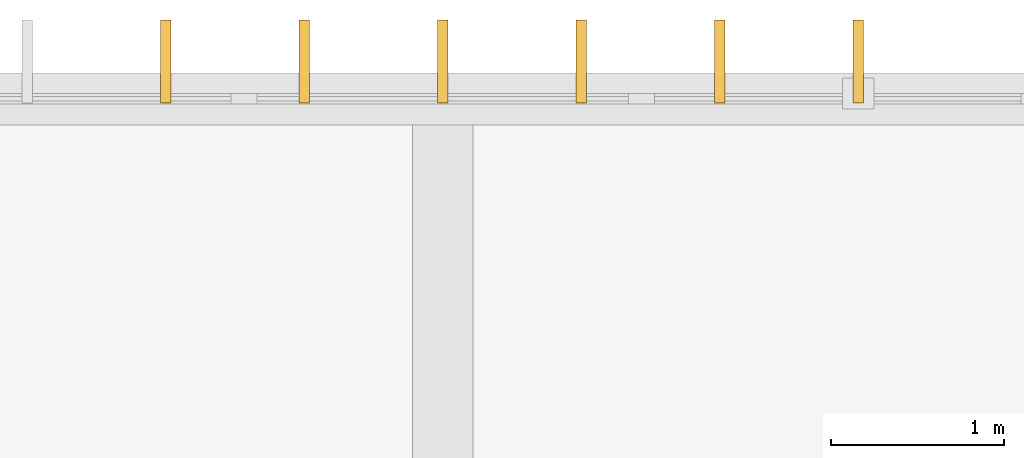
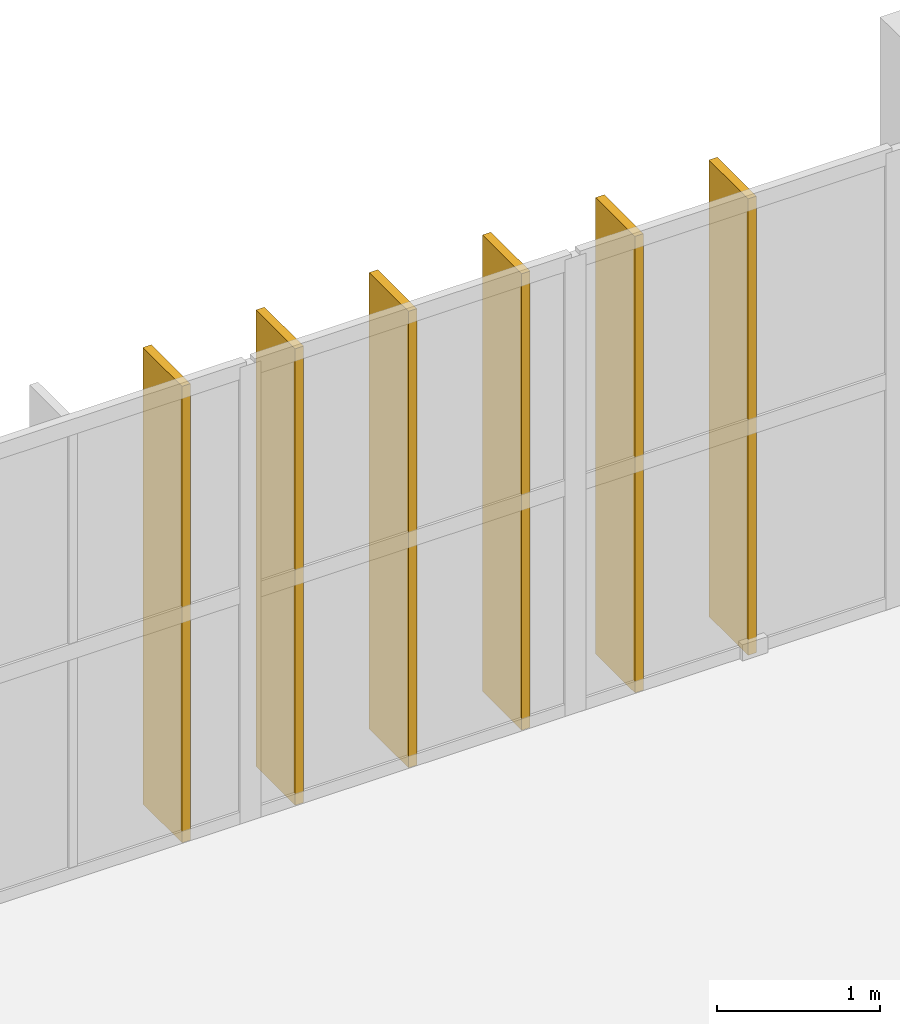
# One storey, part 61 of 61: 6 shading devices.
"""IFC4 building model written with IfcOpenShell, lengths in metres."""

from ifc_helpers import new_model, si_unit, direction, frame, origin, origin_2d, place, context, subcontext, project, spatial, rectangle, extrude, material, material_profile, profile_set, type_object, element, save


model = new_model("IFC4")

# Units and contexts
model_context = context("Model", 3, precision=1e-05, world=origin(), true_north=direction((0.0, 1.0)))
body_context = subcontext(model_context, "Body", "Model", "MODEL_VIEW")
ifc_project = project(units=[si_unit("LENGTHUNIT", "METRE"), si_unit("AREAUNIT", "SQUARE_METRE"), si_unit("VOLUMEUNIT", "CUBIC_METRE"), si_unit("PLANEANGLEUNIT", "RADIAN"), si_unit("MASSUNIT", "GRAM", prefix="KILO")], contexts=[model_context])

# Site, building, storey
site_placement = place(None, origin())
site = spatial("IfcSite", under=ifc_project, at=site_placement, CompositionType="ELEMENT")
building_placement = place(site_placement, origin())
building = spatial("IfcBuilding", under=site, at=building_placement, Name="Vourika Railside Aquatics Centre", CompositionType="ELEMENT")
storey_placement = place(building_placement, frame((0.0, 0.0, 9.300048828125)))
storey = spatial("IfcBuildingStorey", under=building, at=storey_placement, Name="L02", CompositionType="ELEMENT", Elevation=9.300048828125)

# Shading devices
ifc_material = material(Name="Bronze-anodized extruded aluminium", Category="aluminium")
ifc_material_profile = material_profile(ifc_material, rectangle(XDim=0.06005859375, YDim=0.47998046875, at=origin_2d()), Name="ALU-FIN 60x480")
ifc_profile_set = profile_set([ifc_material_profile], Name="Bronze-anodized extruded aluminium")
shading_device_type = type_object("IfcShadingDeviceType", Name="SHD-FIN-F48A", PredefinedType="USERDEFINED", material=ifc_profile_set)
for number, where, z_axis, x_axis, name in (
    (1, (128.14990234375, 116.215087890625, 0.0), (0.0, 0.0, 1.0), (1.0, 0.0, 0.0), "Vertical Solar Fin VSF-0916"),
    (2, (128.949951171875, 116.215087890625, 0.0), (0.0, 0.0, 1.0), (1.0, 0.0, 0.0), "Vertical Solar Fin VSF-0917"),
    (3, (129.75, 116.215087890625, 0.0), (0.0, 0.0, 1.0), (1.0, 0.0, 0.0), "Vertical Solar Fin VSF-0918"),
    (4, (130.550048828125, 116.215087890625, 0.0), (0.0, 0.0, 1.0), (1.0, 0.0, 0.0), "Vertical Solar Fin VSF-0919"),
    (5, (131.35009765625, 116.215087890625, 0.0), (0.0, 0.0, 1.0), (1.0, 0.0, 0.0), "Vertical Solar Fin VSF-0920"),
    (6, (132.14990234375, 116.215087890625, 0.0), (0.0, 0.0, 1.0), (1.0, 0.0, 0.0), "Vertical Solar Fin VSF-0921"),
):
    element("IfcShadingDevice", number, at=place(storey_placement, frame(where, z_axis=z_axis, x_axis=x_axis)), inside=storey, type_object=shading_device_type, Name=name, ObjectType="FIN", PredefinedType="USERDEFINED", context=body_context, shape_type="SweptSolid", body=[
        extrude(rectangle(XDim=0.06005859375, YDim=0.47998046875, at=origin_2d()), origin(), (0.0, 0.0, 1.0), 3.409912109375),
    ])

save(model, "model.ifc")
